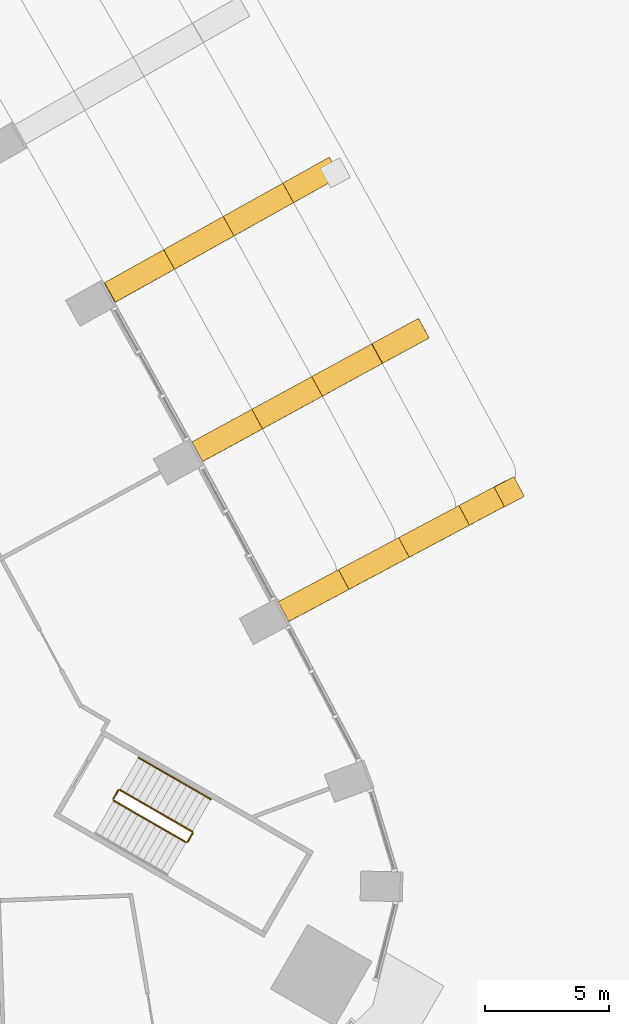
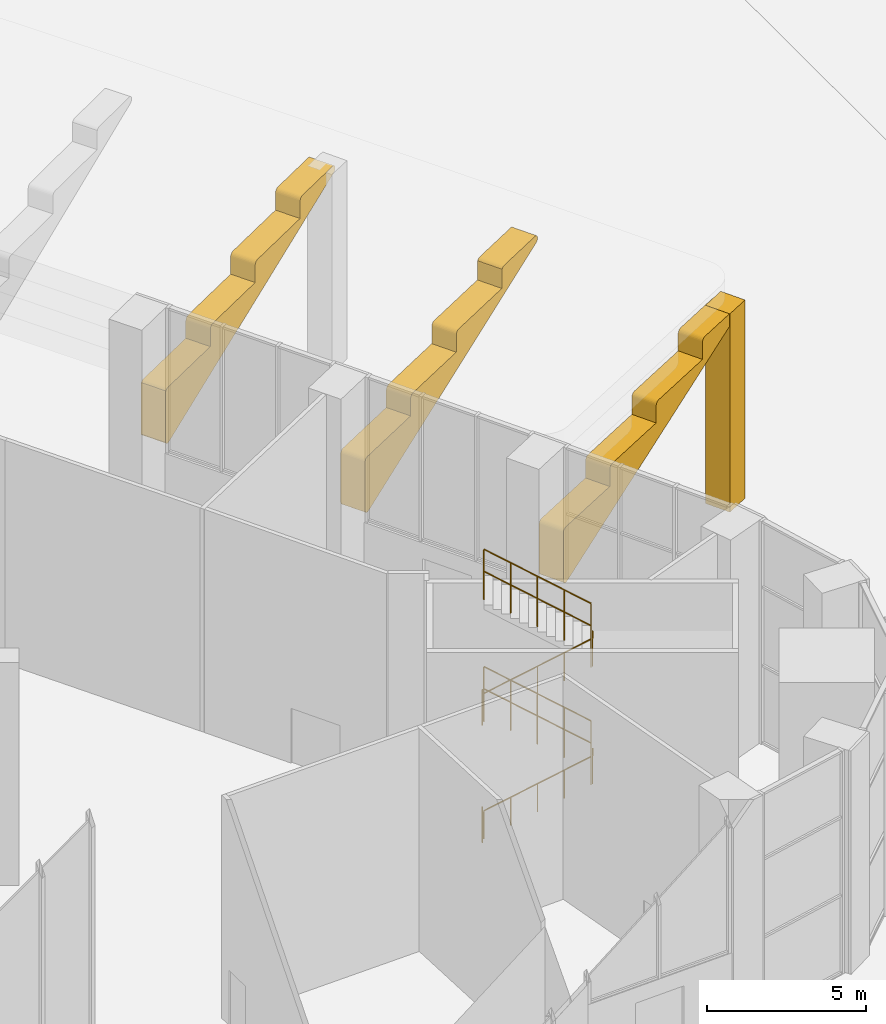
# One storey, part 31 of 36: 10 railings, 4 coverings.
"""IFC4 building model written with IfcOpenShell, lengths in metres."""

import ifcopenshell
import ifcopenshell.guid

model = None  # the IFC model being written
_history = None  # IfcOwnerHistory: only IFC2X3 demands one
_inside = {}  # id of a spatial element -> (the spatial element, [elements in it])
_under = {}  # id of a project, library or spatial element -> (it, [spatial elements below it])
_declared = {}  # id of a project -> (the project, [libraries it declares])
_typed = {}  # id of a type object -> (the type object, [elements of that type])
_made_of = {}  # id of a material, layer set ... -> (it, [elements and type objects made of it])


def new_model(schema):
    """Start an empty IFC model of exactly this schema.

    Asked for "IFC4X3", IfcOpenShell would pick the latest addendum, in which some entities
    have other attributes; the version numbers below select the first issue.
    IFC2X3 requires an IfcOwnerHistory on every rooted entity: one is made here for all.
    """
    global model, _history
    if schema == "IFC4X3":
        model = ifcopenshell.file(schema_version=(4, 3, 0, 0))
    else:
        model = ifcopenshell.file(schema=schema)
    _inside.clear()
    _under.clear()
    _declared.clear()
    _typed.clear()
    _made_of.clear()
    _history = None
    if model.schema == "IFC2X3":
        org = make("IfcOrganization", Name="unknown")
        user = make(
            "IfcPersonAndOrganization",
            ThePerson=make("IfcPerson", FamilyName="unknown"),
            TheOrganization=org,
        )
        app = make(
            "IfcApplication",
            ApplicationDeveloper=org,
            Version="unknown",
            ApplicationFullName="unknown",
            ApplicationIdentifier="unknown",
        )
        _history = make(
            "IfcOwnerHistory",
            OwningUser=user,
            OwningApplication=app,
            ChangeAction="ADDED",
            CreationDate=0,
        )
    return model


def make(cls, **values):
    """One entity of the class cls with the attributes given. An attribute that is None is left unset."""
    return model.create_entity(
        cls, **{name: value for name, value in values.items() if value is not None}
    )


def rooted(cls, **values):
    """An entity with a GlobalId (a new one), such as an element, a storey or a relation."""
    return make(cls, GlobalId=ifcopenshell.guid.new(), OwnerHistory=_history, **values)


def si_unit(unit_type, name, prefix=None):
    """IfcSIUnit, for example si_unit("LENGTHUNIT", "METRE", prefix="MILLI")."""
    return make("IfcSIUnit", UnitType=unit_type, Prefix=prefix, Name=name)


def assignment(units):
    """IfcUnitAssignment: the units of a project."""
    return None if units is None else make("IfcUnitAssignment", Units=units)


def point(xyz):
    """IfcCartesianPoint."""
    return None if xyz is None else make("IfcCartesianPoint", Coordinates=xyz)


def direction(xyz):
    """IfcDirection."""
    return None if xyz is None else make("IfcDirection", DirectionRatios=xyz)


def frame(location, z_axis=None, x_axis=None):
    """IfcAxis2Placement3D, a coordinate frame: its origin and axes. An axis left out is left unset."""
    return make(
        "IfcAxis2Placement3D",
        Location=point(location),
        Axis=direction(z_axis),
        RefDirection=direction(x_axis),
    )


def frame_2d(location, x_axis=None):
    """IfcAxis2Placement2D, a coordinate frame in the plane: its origin and x axis."""
    return make(
        "IfcAxis2Placement2D", Location=point(location), RefDirection=direction(x_axis)
    )


def origin():
    """The frame at (0, 0, 0) with its axes left unset."""
    return frame((0.0, 0.0, 0.0))


def origin_2d():
    """The frame at (0, 0) in the plane with its x axis left unset."""
    return frame_2d((0.0, 0.0))


def place(relative_to, where):
    """IfcLocalPlacement: puts the frame where relative to a parent placement (None: the world)."""
    return make(
        "IfcLocalPlacement", PlacementRelTo=relative_to, RelativePlacement=where
    )


def context(
    kind, dimensions, precision=None, world=None, true_north=None, identifier=None
):
    """IfcGeometricRepresentationContext, for example the 3D "Model" context."""
    return make(
        "IfcGeometricRepresentationContext",
        ContextIdentifier=identifier,
        ContextType=kind,
        CoordinateSpaceDimension=dimensions,
        Precision=precision,
        WorldCoordinateSystem=world,
        TrueNorth=true_north,
    )


def subcontext(parent, identifier, kind, view, scale=None):
    """IfcGeometricRepresentationSubContext, for example "Body" below "Model"."""
    return make(
        "IfcGeometricRepresentationSubContext",
        ContextIdentifier=identifier,
        ContextType=kind,
        ParentContext=parent,
        TargetScale=scale,
        TargetView=view,
    )


def project(units=None, contexts=None):
    """IfcProject with its units and contexts."""
    return rooted(
        "IfcProject",
        Name="project",
        RepresentationContexts=contexts,
        UnitsInContext=assignment(units),
    )


def spatial(cls, under=None, at=None, **own):
    """A site, building, storey or space (cls), placed at a placement, below another one or the project."""
    s = rooted(cls, ObjectPlacement=at, **own)
    if under is not None:
        _under.setdefault(under.id(), (under, []))[1].append(s)
    return s


def polyline(points):
    """IfcPolyline through the points."""
    return make("IfcPolyline", Points=[point(p) for p in points])


def profile(cls, at=None, kind="AREA", **sizes):
    """A parametric profile (cls). Its sizes go by their IFC names, for example OverallWidth=200.0."""
    return make(cls, ProfileType=kind, Position=at, **sizes)


def circle(**sizes):
    """IfcCircleProfileDef."""
    return profile("IfcCircleProfileDef", **sizes)


def outline(outer, holes=None, kind="AREA"):
    """IfcArbitraryClosedProfileDef: a profile drawn as a closed curve; with holes, ...WithVoids."""
    if holes is None:
        return make("IfcArbitraryClosedProfileDef", ProfileType=kind, OuterCurve=outer)
    return make(
        "IfcArbitraryProfileDefWithVoids",
        ProfileType=kind,
        OuterCurve=outer,
        InnerCurves=holes,
    )


def extrude(swept, where, along, depth):
    """IfcExtrudedAreaSolid: the profile swept, set in the frame where, extruded along a direction by depth."""
    return make(
        "IfcExtrudedAreaSolid",
        SweptArea=swept,
        Position=where,
        ExtrudedDirection=direction(along),
        Depth=depth,
    )


def shape(context_of_items, identifier, shape_type, items):
    """IfcShapeRepresentation: the items that make up one representation, for example the "Body"."""
    return make(
        "IfcShapeRepresentation",
        ContextOfItems=context_of_items,
        RepresentationIdentifier=identifier,
        RepresentationType=shape_type,
        Items=items,
    )


def material(Name=None, Category=None):
    """IfcMaterial."""
    return make("IfcMaterial", Name=Name, Category=Category)


def made_of(thing, what):
    """Note that an element or type object is made of a material, layer set ...; save() writes the relation."""
    if what is not None:
        _made_of.setdefault(what.id(), (what, []))[1].append(thing)
    return thing


def type_object(cls, material=None, **own):
    """A type object (cls), such as IfcWallType, which elements share."""
    return made_of(rooted(cls, **own), material)


def element(
    cls,
    number,
    at=None,
    inside=None,
    cuts=None,
    type_object=None,
    material=None,
    context=None,
    identifier="Body",
    shape_type=None,
    held_by="IfcProductDefinitionShape",
    body=None,
    shapes=None,
    **own,
):
    """One element of the class cls, such as IfcWall. Its Tag is "e" and its number.

    at: its placement. inside: the storey or other place that contains it. cuts: it is an
    opening in that element (IfcRelVoidsElement). A single representation is given by context,
    identifier, shape_type and body (its items); several are given by shapes. held_by: the class
    of the entity that holds the representations. save() writes the other relations.
    """
    e = rooted(cls, Tag="e%d" % number, ObjectPlacement=at, **own)
    if body is not None:
        shapes = [shape(context, identifier, shape_type, body)]
    if shapes is not None:
        e.Representation = make(held_by, Representations=shapes)
    if inside is not None:
        _inside.setdefault(inside.id(), (inside, []))[1].append(e)
    if cuts is not None:
        rooted(
            "IfcRelVoidsElement", RelatingBuildingElement=cuts, RelatedOpeningElement=e
        )
    if type_object is not None:
        _typed.setdefault(type_object.id(), (type_object, []))[1].append(e)
    return made_of(e, material)


def aggregate(whole, parts):
    """IfcRelAggregates: a whole, such as a stair, and the parts it consists of."""
    return rooted("IfcRelAggregates", RelatingObject=whole, RelatedObjects=parts)


def save(model, path):
    """Write the relations noted so far, then the file.

    IfcRelAggregates (storeys below a building ...), IfcRelContainedInSpatialStructure (elements
    in a storey), IfcRelDefinesByType, IfcRelAssociatesMaterial and IfcRelDeclares: one each for
    every whole, place, type object, material and project.
    """
    for whole, parts in _under.values():
        aggregate(whole, parts)
    for where, things in _inside.values():
        rooted(
            "IfcRelContainedInSpatialStructure",
            RelatedElements=things,
            RelatingStructure=where,
        )
    for kind, things in _typed.values():
        rooted("IfcRelDefinesByType", RelatedObjects=things, RelatingType=kind)
    for what, things in _made_of.values():
        rooted("IfcRelAssociatesMaterial", RelatedObjects=things, RelatingMaterial=what)
    for by, libraries in _declared.values():
        rooted("IfcRelDeclares", RelatingContext=by, RelatedDefinitions=libraries)
    model.write(path)


model = new_model("IFC4")

# Units and contexts
model_context = context("Model", 3, precision=1e-05, world=origin(), true_north=direction((0.0, 1.0)))
body_context = subcontext(model_context, "Body", "Model", "MODEL_VIEW")
ifc_project = project(units=[si_unit("LENGTHUNIT", "METRE"), si_unit("AREAUNIT", "SQUARE_METRE"), si_unit("VOLUMEUNIT", "CUBIC_METRE"), si_unit("PLANEANGLEUNIT", "RADIAN"), si_unit("MASSUNIT", "GRAM", prefix="KILO")], contexts=[model_context])

# Site, building, storey
site_placement = place(None, origin())
site = spatial("IfcSite", under=ifc_project, at=site_placement, CompositionType="ELEMENT")
building_placement = place(site_placement, origin())
building = spatial("IfcBuilding", under=site, at=building_placement, Name="Entoto Arch Interchange Tower", CompositionType="ELEMENT")
storey_placement = place(building_placement, origin())
storey = spatial("IfcBuildingStorey", under=building, at=storey_placement, Name="L00", CompositionType="ELEMENT", Elevation=0.0)

# Coverings
ifc_material_1 = material(Name="Board-marked precast concrete C50/60", Category="concrete")
covering_type = type_object("IfcCoveringType", Name="PRECAST FRAME COURSE", PredefinedType="CLADDING", material=ifc_material_1)
covering_1_placement = place(storey_placement, frame((37.944091796875, -8.201904296875, 3.0869140625), z_axis=(0.46936865047, -0.882997680031, 0.00285779893), x_axis=(-0.844427242249, -0.449807495101, -0.290888036706)))
element("IfcCovering", 1, at=covering_1_placement, inside=storey, type_object=covering_type, Name="Brow rib NE02", PredefinedType="CLADDING", context=body_context, shape_type="SweptSolid", body=[
    extrude(outline(polyline([(0.0, 0.0), (0.03105600756704729, -1.734723475976807e-18), (0.06002060017926232, -0.005743789398758057), (0.10121536561946655, -0.025669321643296935), (0.12277951756761343, -0.043709077898294944), (0.14230484078996408, -0.06623141225225579), (0.15960474568568866, -0.10619505077357463), (0.16607816409663262, -0.1352117836110286), (0.16433772949436942, -0.17959379662221892), (-0.3689999279281405, -1.9396834944561692), (-0.3895187649774249, -1.9793767446629504), (-0.41937591100991733, -2.011126810451828), (-0.4570756668337541, -2.0341136359054683), (-0.4984452881330807, -2.0455223593195484), (-0.5291074090687989, -2.0446207746493146), (-0.558072001681014, -2.0388769852505564), (-3.043770592000695, -1.2831325207215447), (-3.239364930598489, -1.9187655076899688), (-3.2634927011299872, -1.9553197907158086), (-3.2951543139035864, -1.9855003729142149), (-3.334200212054823, -2.0050163126327503), (-3.376451071463134, -2.0118189834069184), (-3.4227446877166954, -2.004123825967084), (-5.908333461753392, -1.2484121057061284), (-6.103927800351186, -1.8840450926745522), (-6.125967033793232, -1.9212345303525733), (-6.157422487572142, -1.9514781347484749), (-6.198692064220434, -1.9700623153827617), (-6.242484001321214, -1.9766524803318053), (-6.28521902037994, -1.9700385656038493), (-8.774160232616783, -1.2133086248285094), (-8.961999042615078, -1.8354777337678314), (-8.972538672567806, -1.8626388650297598), (-8.998864796471741, -1.8985252491353628), (-9.035044155902815, -1.9240158871177622), (-9.075248468744812, -1.9390963342334646), (-9.119811827671594, -1.9411131908106531), (-9.147693353043184, -1.9359533052406137), (-10.921264828708527, -1.3967216439553707), (-10.961919028518318, -1.3779825294391008), (-10.995456858012385, -1.3478817770048792), (-11.015658712346703, -1.3103522971488748), (-11.02898018036792, -1.2677721685511312), (-11.027284928116035, -1.2389417254212725), (-11.022726839083319, -1.2089408012645113), (-11.008834770930445, -1.1827978905169676), (-10.994157179456568, -1.158170746197814), (-10.974645552085684, -1.1367993084191768), (-10.949475566800892, -1.120465670112075), (-10.920284957968226, -1.1104570516629853), (-10.893565549226725, -1.1040362653394218), (0.0, 0.0)])), origin(), (0.0, 0.0, -1.0), 0.89990234375),
])
covering_2_placement = place(storey_placement, origin())
element("IfcCovering", 2, at=covering_2_placement, inside=storey, type_object=covering_type, Name="Brow post NE02", PredefinedType="CLADDING", context=body_context, shape_type="SweptSolid", body=[
    extrude(outline(polyline([(46.45703125, -3.677978515625), (47.251953125, -3.2548828125), (46.8291015625, -2.4609375), (46.034912109375, -2.883056640625), (46.45703125, -3.677978515625)])), origin(), (0.0, 0.0, 1.0), 7.60009765625),
])
covering_3_placement = place(storey_placement, frame((34.471923828125, -1.75390625, 3.0869140625), z_axis=(0.478160577928, -0.878267619318, 0.002906986865), x_axis=(-0.842424738921, -0.459577377822, -0.281263565092)))
element("IfcCovering", 3, at=covering_3_placement, inside=storey, type_object=covering_type, Name="Brow rib NE03", PredefinedType="CLADDING", context=body_context, shape_type="SweptSolid", body=[
    extrude(outline(polyline([(0.0, 0.0), (0.03212091567740977, 0.0), (0.06134711694242198, -0.005514006519764542), (0.09961245804856765, -0.024107492401519083), (0.12283042429577826, -0.042361646515083104), (0.14237519633805207, -0.06462681531639175), (0.16134508534848468, -0.10478641520246695), (0.16601428271649787, -0.1331227355013962), (0.16598893121277317, -0.17789115322351848), (-0.35085639637285326, -1.9428940110879875), (-0.36981698379993316, -1.983130136118434), (-0.3983238542647855, -2.0154815161970245), (-0.4372676890682069, -2.038412923107173), (-0.4797908435681619, -2.0498643858400274), (-0.5083649030959386, -2.049884362598076), (-0.5373854342586752, -2.0444309910068066), (-3.031936640684041, -1.3132861044385233), (-3.2211569968366187, -1.9508456062414514), (-3.242933894656493, -1.9882219512204413), (-3.275560097475804, -2.018347511521594), (-3.315774084779603, -2.0378534887160384), (-3.359224052467079, -2.0447081030875722), (-3.4014031282543535, -2.038705303649978), (-5.895842133171461, -1.3075926534662612), (-6.08506248932404, -1.9451521552691888), (-6.106839387143914, -1.982528500248179), (-6.139465589963225, -2.0126540605493313), (-6.1783394229623205, -2.0322972392668976), (-6.2231295449545, -2.0390146521153096), (-6.2653086207417745, -2.0330118526777152), (-8.75985982716714, -1.301866966109432), (-8.943551289398162, -1.9252723619589638), (-8.95508841833752, -1.952166615506159), (-8.978959483008628, -1.9889289355189241), (-9.01488133731698, -2.014780757409025), (-9.056090805670872, -2.0299241699712725), (-9.102013410952846, -2.031984099529869), (-9.129120644635178, -2.0273468002493815), (-10.905613993223428, -1.5066612824198877), (-10.9477253291755, -1.487958786307661), (-10.98073744826669, -1.4584387877365979), (-11.002581984833528, -1.4207430877474665), (-11.01412715384343, -1.3789435432077841), (-11.014812687154937, -1.3494841795652155), (-11.00857290841815, -1.3200210195322657), (-10.998195064412666, -1.2927875171173913), (-10.982607270981422, -1.2683533670767577), (-10.961105450526215, -1.247433514423229), (-10.937037190397055, -1.230573259010701), (-10.910247422410873, -1.2195983295691595), (-10.88200729952436, -1.213373754730494), (0.0, 0.0)])), origin(), (0.0, 0.0, -1.0), 0.89990234375),
])
covering_4_placement = place(storey_placement, frame((30.93798828125, 4.658935546875, 3.0869140625), z_axis=(0.486895063897, -0.873455373289, 0.002984564521), x_axis=(-0.832269009507, -0.4649678433, -0.301882759548)))
element("IfcCovering", 4, at=covering_4_placement, inside=storey, type_object=covering_type, Name="Brow rib NE04", PredefinedType="CLADDING", context=body_context, shape_type="SweptSolid", body=[
    extrude(outline(polyline([(0.0, 0.0), (0.029922917026616362, -1.734723475976807e-18), (0.060399591698095195, -0.006577547749770462), (0.10098932494787993, -0.026856600541890346), (0.1215222622031555, -0.04488323027947747), (0.14184799541064402, -0.06796481318175669), (0.15775366028564175, -0.10783043973550062), (0.1654724026850991, -0.13741945723610466), (0.16081926013542952, -0.18101861037085634), (-0.3927387818583027, -1.934853395279053), (-0.413713924311214, -1.974307070270239), (-0.44083416696220057, -2.006694032154531), (-0.4803761686415907, -2.0287446258833493), (-0.5222089011132071, -2.039570159395947), (-0.5519505282973204, -2.038603884295962), (-0.5802340898602665, -2.032720442279683), (-3.058902203614726, -1.2478304387317753), (-3.2619545217323274, -1.8811215569068707), (-3.284419644989161, -1.9180544118520042), (-3.3189538905039884, -1.9470692110684558), (-3.3574082793601163, -1.966391529458205), (-3.4003843842413373, -1.9725015081627288), (-3.4434839936129142, -1.965255592610989), (-5.922152107367373, -1.180365589063081), (-6.125204425484975, -1.8136567072381764), (-6.147669548741809, -1.8505895621833102), (-6.180124198687972, -1.8802631885041163), (-6.22078767194332, -1.898629216598322), (-6.264901120858053, -1.9046366876835847), (-6.308203920905779, -1.8973260580583684), (-8.78687203466024, -1.1124360545104603), (-8.981894892378486, -1.7323908039313465), (-8.99401184043676, -1.759029151024281), (-9.022016505234859, -1.7942091023211182), (-9.057672222325646, -1.8195393359029568), (-9.097230167897104, -1.8344141272314807), (-9.141106638817504, -1.8361412929482563), (-9.169260711549894, -1.8305553141231656), (-10.93753541844702, -1.270617073359515), (-10.978216768403025, -1.2513337311117199), (-11.009769087217368, -1.2213675965708672), (-11.032058900086469, -1.1828100835282203), (-11.042699846140245, -1.1407708744175054), (-11.040779628819086, -1.1119282518649354), (-11.03379389737984, -1.0826412832819905), (-11.022943782185635, -1.0556029653786054), (-11.006719444001979, -1.0315460107855547), (-10.985698512275944, -1.010800646406512), (-10.961362995865414, -0.9944339533955748), (-10.934139134553265, -0.9841046110210665), (-10.904505067967438, -0.9788907942650811), (0.0, 0.0)])), origin(), (0.0, 0.0, -1.0), 0.89990234375),
])

# Railings
ifc_material_2 = material(Name="Stainless steel 1.4301", Category="steel")
railing_type_1 = type_object("IfcRailingType", Name="STAIR GUARD 1100 STEEL", PredefinedType="GUARDRAIL", material=ifc_material_2)
railing_1_placement = place(storey_placement, frame((30.70556640625, -15.516357421875, 0.173095703125)))
element("IfcRailing", 5, at=railing_1_placement, inside=storey, type_object=railing_type_1, Name="L00 PST-SE stair guard 1", PredefinedType="GUARDRAIL", context=body_context, shape_type="SweptSolid", body=[
    extrude(circle(Radius=0.02392578125, at=origin_2d()), frame((0.0, 0.0, 1.076171875), z_axis=(0.736648589954, -0.42533900462, 0.52577141998), x_axis=(0.500030632641, 0.866007717299, 0.0)), (0.0, 0.0, 1.0), 3.9501953125),
    extrude(circle(Radius=0.02099609375, at=origin_2d()), origin(), (0.0, 0.0, 1.0), 1.052001953125),
    extrude(circle(Radius=0.02099609375, at=origin_2d()), frame((0.7275390625, -0.419921875, 0.519287109375)), (0.0, 0.0, 1.0), 1.052001953125),
    extrude(circle(Radius=0.02099609375, at=origin_2d()), frame((1.455078125, -0.840087890625, 1.03857421875)), (0.0, 0.0, 1.0), 1.052001953125),
    extrude(circle(Radius=0.02099609375, at=origin_2d()), frame((2.182373046875, -1.26025390625, 1.5576171875)), (0.0, 0.0, 1.0), 1.052001953125),
    extrude(circle(Radius=0.02099609375, at=origin_2d()), frame((2.909912109375, -1.68017578125, 2.076904296875)), (0.0, 0.0, 1.0), 1.052001953125),
])
railing_2_placement = place(storey_placement, frame((33.68359375, -17.17822265625, 2.25)))
element("IfcRailing", 6, at=railing_2_placement, inside=storey, type_object=railing_type_1, Name="L00 PST-SE stair guard 2", PredefinedType="GUARDRAIL", context=body_context, shape_type="SweptSolid", body=[
    extrude(circle(Radius=0.02392578125, at=origin_2d()), frame((0.0, 0.0, 1.076171875), z_axis=(0.500338590944, 0.865829829939, 0.0), x_axis=(-0.865829829939, 0.500338590944, 0.0)), (0.0, 0.0, 1.0), 0.400146484375),
    extrude(circle(Radius=0.02099609375, at=origin_2d()), origin(), (0.0, 0.0, 1.0), 1.052001953125),
    extrude(circle(Radius=0.02099609375, at=origin_2d()), frame((0.2001953125, 0.346435546875, 0.0)), (0.0, 0.0, 1.0), 1.052001953125),
])
railing_3_placement = place(storey_placement, frame((33.865478515625, -16.763427734375, 2.423095703125)))
element("IfcRailing", 7, at=railing_3_placement, inside=storey, type_object=railing_type_1, Name="L00 PST-SE stair guard 3", PredefinedType="GUARDRAIL", context=body_context, shape_type="SweptSolid", body=[
    extrude(circle(Radius=0.02392578125, at=origin_2d()), frame((0.0, 0.0, 1.076171875), z_axis=(-0.736667954249, 0.425288379326, 0.525785240943), x_axis=(-0.499976138585, -0.866039179741, 0.0)), (0.0, 0.0, 1.0), 3.9501953125),
    extrude(circle(Radius=0.02099609375, at=origin_2d()), origin(), (0.0, 0.0, 1.0), 1.052001953125),
    extrude(circle(Radius=0.02099609375, at=origin_2d()), frame((-0.7275390625, 0.419921875, 0.519287109375)), (0.0, 0.0, 1.0), 1.052001953125),
    extrude(circle(Radius=0.02099609375, at=origin_2d()), frame((-1.455078125, 0.83984375, 1.03857421875)), (0.0, 0.0, 1.0), 1.052001953125),
    extrude(circle(Radius=0.02099609375, at=origin_2d()), frame((-2.182373046875, 1.260009765625, 1.5576171875)), (0.0, 0.0, 1.0), 1.052001953125),
    extrude(circle(Radius=0.02099609375, at=origin_2d()), frame((-2.909912109375, 1.679931640625, 2.076904296875)), (0.0, 0.0, 1.0), 1.052001953125),
])
railing_4_placement = place(storey_placement, frame((30.687255859375, -15.4482421875, 4.5)))
element("IfcRailing", 8, at=railing_4_placement, inside=storey, type_object=railing_type_1, Name="L00 PST-SE stair guard 4", PredefinedType="GUARDRAIL", context=body_context, shape_type="SweptSolid", body=[
    extrude(circle(Radius=0.02392578125, at=origin_2d()), frame((0.0, 0.0, 1.076171875), z_axis=(0.499880961361, 0.866094119867, 0.0), x_axis=(-0.866094119867, 0.499880961361, 0.0)), (0.0, 0.0, 1.0), 0.39990234375),
    extrude(circle(Radius=0.02099609375, at=origin_2d()), origin(), (0.0, 0.0, 1.0), 1.052001953125),
    extrude(circle(Radius=0.02099609375, at=origin_2d()), frame((0.199951171875, 0.346435546875, 0.0)), (0.0, 0.0, 1.0), 1.052001953125),
])
railing_5_placement = place(storey_placement, frame((30.70556640625, -15.516357421875, 4.673095703125)))
element("IfcRailing", 9, at=railing_5_placement, inside=storey, type_object=railing_type_1, Name="L00 PST-SE stair guard 5", PredefinedType="GUARDRAIL", context=body_context, shape_type="SweptSolid", body=[
    extrude(circle(Radius=0.02392578125, at=origin_2d()), frame((0.0, 0.0, 1.076171875), z_axis=(0.736648589954, -0.42533900462, 0.52577141998), x_axis=(0.500030632641, 0.866007717299, 0.0)), (0.0, 0.0, 1.0), 3.9501953125),
    extrude(circle(Radius=0.02099609375, at=origin_2d()), origin(), (0.0, 0.0, 1.0), 1.052001953125),
    extrude(circle(Radius=0.02099609375, at=origin_2d()), frame((0.7275390625, -0.419921875, 0.519287109375)), (0.0, 0.0, 1.0), 1.052001953125),
    extrude(circle(Radius=0.02099609375, at=origin_2d()), frame((1.455078125, -0.840087890625, 1.03857421875)), (0.0, 0.0, 1.0), 1.052001953125),
    extrude(circle(Radius=0.02099609375, at=origin_2d()), frame((2.182373046875, -1.26025390625, 1.5576171875)), (0.0, 0.0, 1.0), 1.052001953125),
    extrude(circle(Radius=0.02099609375, at=origin_2d()), frame((2.909912109375, -1.68017578125, 2.076904296875)), (0.0, 0.0, 1.0), 1.052001953125),
])
railing_6_placement = place(storey_placement, frame((33.68359375, -17.17822265625, 6.75)))
element("IfcRailing", 10, at=railing_6_placement, inside=storey, type_object=railing_type_1, Name="L00 PST-SE stair guard 6", PredefinedType="GUARDRAIL", context=body_context, shape_type="SweptSolid", body=[
    extrude(circle(Radius=0.02392578125, at=origin_2d()), frame((0.0, 0.0, 1.076171875), z_axis=(0.500338590944, 0.865829829939, 0.0), x_axis=(-0.865829829939, 0.500338590944, 0.0)), (0.0, 0.0, 1.0), 0.400146484375),
    extrude(circle(Radius=0.02099609375, at=origin_2d()), origin(), (0.0, 0.0, 1.0), 1.052001953125),
    extrude(circle(Radius=0.02099609375, at=origin_2d()), frame((0.2001953125, 0.346435546875, 0.0)), (0.0, 0.0, 1.0), 1.052001953125),
])
railing_7_placement = place(storey_placement, frame((33.865478515625, -16.763427734375, 6.923095703125)))
element("IfcRailing", 11, at=railing_7_placement, inside=storey, type_object=railing_type_1, Name="L00 PST-SE stair guard 7", PredefinedType="GUARDRAIL", context=body_context, shape_type="SweptSolid", body=[
    extrude(circle(Radius=0.02392578125, at=origin_2d()), frame((0.0, 0.0, 1.076171875), z_axis=(-0.736667954249, 0.425288379326, 0.525785240943), x_axis=(-0.499976138585, -0.866039179741, 0.0)), (0.0, 0.0, 1.0), 3.9501953125),
    extrude(circle(Radius=0.02099609375, at=origin_2d()), origin(), (0.0, 0.0, 1.0), 1.052001953125),
    extrude(circle(Radius=0.02099609375, at=origin_2d()), frame((-0.7275390625, 0.419921875, 0.519287109375)), (0.0, 0.0, 1.0), 1.052001953125),
    extrude(circle(Radius=0.02099609375, at=origin_2d()), frame((-1.455078125, 0.83984375, 1.03857421875)), (0.0, 0.0, 1.0), 1.052001953125),
    extrude(circle(Radius=0.02099609375, at=origin_2d()), frame((-2.182373046875, 1.260009765625, 1.5576171875)), (0.0, 0.0, 1.0), 1.052001953125),
    extrude(circle(Radius=0.02099609375, at=origin_2d()), frame((-2.909912109375, 1.679931640625, 2.076904296875)), (0.0, 0.0, 1.0), 1.052001953125),
])
railing_8_placement = place(storey_placement, frame((30.687255859375, -15.4482421875, 0.0)))
element("IfcRailing", 12, at=railing_8_placement, inside=storey, type_object=railing_type_1, Name="L00 PST-SE stair guard 8", PredefinedType="GUARDRAIL", context=body_context, shape_type="SweptSolid", body=[
    extrude(circle(Radius=0.02392578125, at=origin_2d()), frame((0.0, 0.0, 1.076171875), z_axis=(0.499880961361, 0.866094119867, 0.0), x_axis=(-0.866094119867, 0.499880961361, 0.0)), (0.0, 0.0, 1.0), 0.39990234375),
    extrude(circle(Radius=0.02099609375, at=origin_2d()), origin(), (0.0, 0.0, 1.0), 1.052001953125),
    extrude(circle(Radius=0.02099609375, at=origin_2d()), frame((0.199951171875, 0.346435546875, 0.0)), (0.0, 0.0, 1.0), 1.052001953125),
])
railing_type_2 = type_object("IfcRailingType", Name="STAIR HANDRAIL 900 STEEL", PredefinedType="HANDRAIL", material=ifc_material_2)
for number, where, name in (
    (13, (34.615478515625, -15.46435546875, 2.423095703125), "L00 PST-SE stair handrail 2"),
    (14, (34.615478515625, -15.46435546875, 6.923095703125), "L00 PST-SE stair handrail 4"),
):
    element("IfcRailing", number, at=place(storey_placement, frame(where)), inside=storey, type_object=railing_type_2, Name=name, PredefinedType="HANDRAIL", context=body_context, shape_type="SweptSolid", body=[
        extrude(circle(Radius=0.02392578125, at=origin_2d()), frame((0.0, 0.0, 0.8759765625), z_axis=(-0.736667954249, 0.425288379326, 0.525785240943), x_axis=(-0.499976138585, -0.866039179741, 0.0)), (0.0, 0.0, 1.0), 3.9501953125),
        extrude(circle(Radius=0.02099609375, at=origin_2d()), origin(), (0.0, 0.0, 1.0), 0.851806640625),
        extrude(circle(Radius=0.02099609375, at=origin_2d()), frame((-0.7275390625, 0.419921875, 0.519287109375)), (0.0, 0.0, 1.0), 0.851806640625),
        extrude(circle(Radius=0.02099609375, at=origin_2d()), frame((-1.455078125, 0.83984375, 1.03857421875)), (0.0, 0.0, 1.0), 0.851806640625),
        extrude(circle(Radius=0.02099609375, at=origin_2d()), frame((-2.182373046875, 1.260009765625, 1.5576171875)), (0.0, 0.0, 1.0), 0.851806640625),
        extrude(circle(Radius=0.02099609375, at=origin_2d()), frame((-2.909912109375, 1.679931640625, 2.076904296875)), (0.0, 0.0, 1.0), 0.851806640625),
    ])

save(model, "model.ifc")
